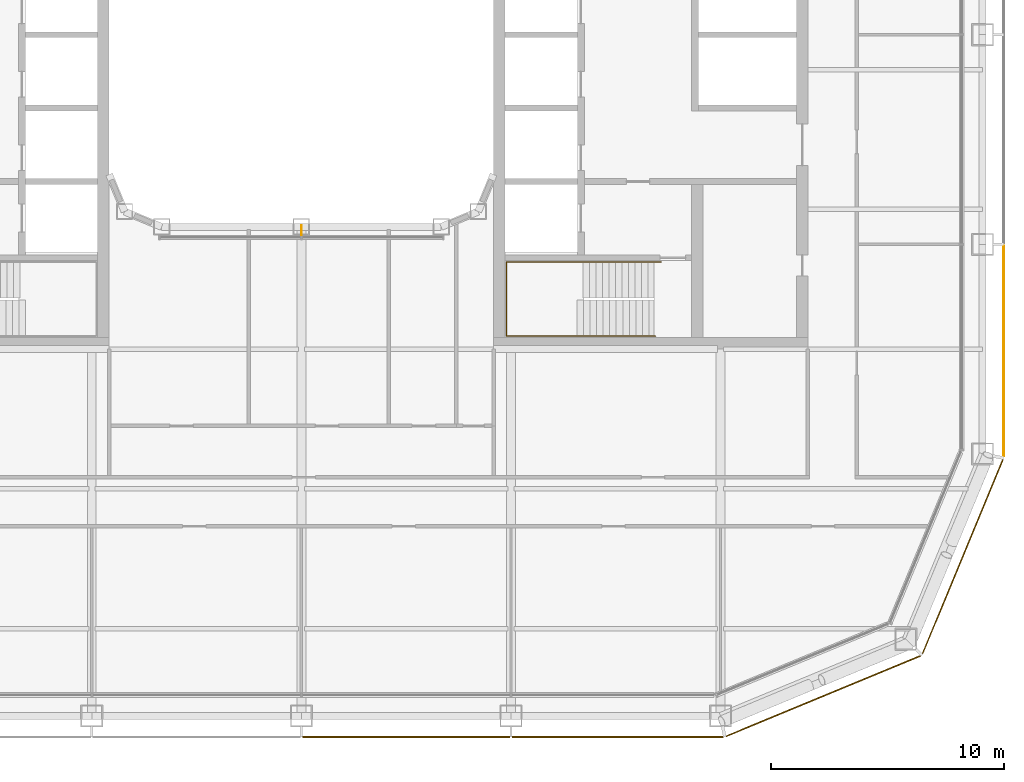
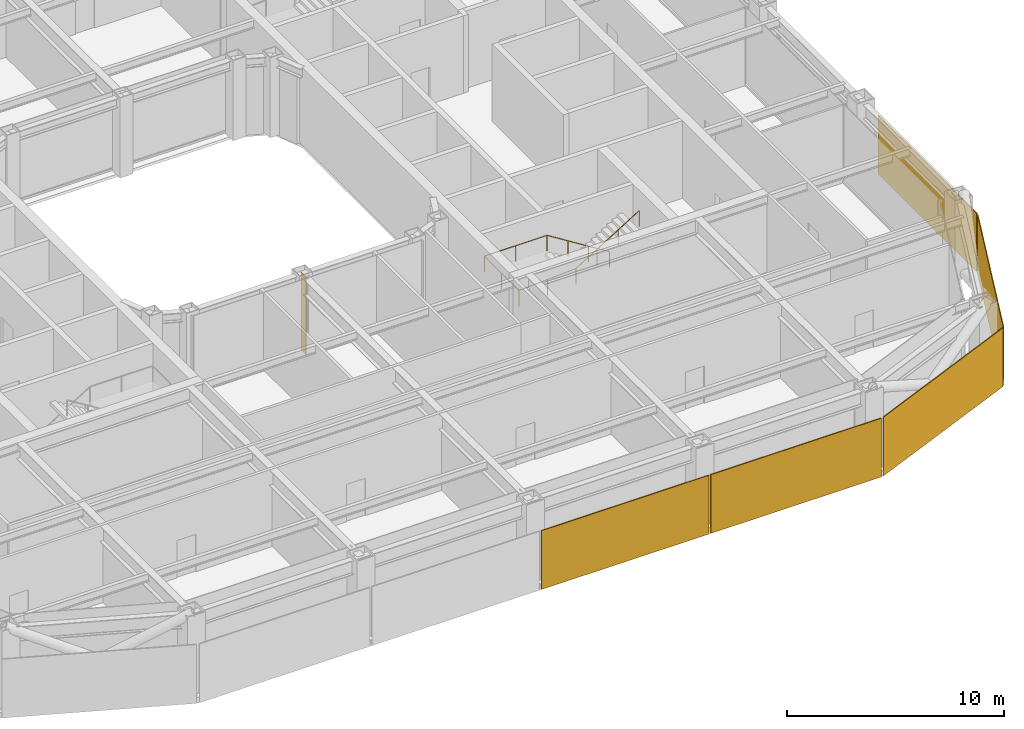
# One storey, part 19 of 23: 5 coverings, 1 railing, 1 shading device.
"""IFC4 building model written with IfcOpenShell, lengths in metres."""

from ifc_helpers import new_model, si_unit, direction, frame, origin, origin_2d, place, context, subcontext, project, spatial, rectangle, circle, extrude, material, layer, layer_set, type_object, element, save


model = new_model("IFC4")

# Units and contexts
model_context = context("Model", 3, precision=1e-05, world=origin(), true_north=direction((0.0, 1.0)))
body_context = subcontext(model_context, "Body", "Model", "MODEL_VIEW")
ifc_project = project(units=[si_unit("LENGTHUNIT", "METRE"), si_unit("AREAUNIT", "SQUARE_METRE"), si_unit("VOLUMEUNIT", "CUBIC_METRE"), si_unit("PLANEANGLEUNIT", "RADIAN"), si_unit("MASSUNIT", "GRAM", prefix="KILO")], contexts=[model_context])

# Site, building, storey
site_placement = place(None, origin())
site = spatial("IfcSite", under=ifc_project, at=site_placement, CompositionType="ELEMENT")
building_placement = place(site_placement, origin())
building = spatial("IfcBuilding", under=site, at=building_placement, Name="Siwar Civic Tower", CompositionType="ELEMENT")
storey_placement = place(building_placement, frame((0.0, 0.0, 136.199951171875)))
storey = spatial("IfcBuildingStorey", under=building, at=storey_placement, Name="L29", CompositionType="ELEMENT", Elevation=136.199951171875)

# Railing
ifc_material_1 = material(Name="Stainless steel", Category="steel")
railing_type = type_object("IfcRailingType", Name="CORE-STAIR-HANDRAIL", PredefinedType="HANDRAIL", material=ifc_material_1)
railing_placement = place(storey_placement, frame((15.449951171875, -9.758056640625, 0.173095703125)))
element("IfcRailing", 1, at=railing_placement, inside=storey, type_object=railing_type, Name="Stair handrail ST4", PredefinedType="HANDRAIL", context=body_context, shape_type="SweptSolid", body=[
    extrude(circle(Radius=0.02001953125, at=origin_2d()), frame((0.0, 0.0, 0.8798828125), z_axis=(-0.847063342986, 0.0, 0.531491950051), x_axis=(0.0, -1.0, 0.0)), (0.0, 0.0, 1.0), 3.90771484375),
    extrude(circle(Radius=0.02001953125, at=origin_2d()), frame((-3.31005859375, 0.0, 2.956787109375), z_axis=(-1.0, 0.0, 0.0), x_axis=(0.0, -1.0, 0.0)), (0.0, 0.0, 1.0), 3.331787109375),
    extrude(circle(Radius=0.02001953125, at=origin_2d()), frame((-6.641845703125, 0.0, 2.956787109375), z_axis=(0.0, -1.0, 0.0), x_axis=(1.0, 0.0, 0.0)), (0.0, 0.0, 1.0), 3.183837890625),
    extrude(circle(Radius=0.02001953125, at=origin_2d()), frame((-6.641845703125, -3.183837890625, 2.956787109375), z_axis=(0.99837434197, 0.0, 0.056997134106), x_axis=(0.0, 1.0, 0.0)), (0.0, 0.0, 1.0), 3.036865234375),
    extrude(circle(Radius=0.02001953125, at=origin_2d()), frame((-3.60986328125, -3.183837890625, 3.1298828125), z_axis=(0.850606129759, 0.0, 0.525803396734), x_axis=(0.0, 1.0, 0.0)), (0.0, 0.0, 1.0), 3.949951171875),
    extrude(circle(Radius=0.02001953125, at=origin_2d()), origin(), (0.0, 0.0, 1.0), 0.85986328125),
    extrude(circle(Radius=0.02001953125, at=origin_2d()), frame((-1.103271484375, 0.0, 0.6923828125)), (0.0, 0.0, 1.0), 0.85986328125),
    extrude(circle(Radius=0.02001953125, at=origin_2d()), frame((-2.206787109375, 0.0, 1.384521484375)), (0.0, 0.0, 1.0), 0.85986328125),
    extrude(circle(Radius=0.02001953125, at=origin_2d()), frame((-3.31005859375, 0.0, 2.076904296875)), (0.0, 0.0, 1.0), 0.85986328125),
    extrude(circle(Radius=0.02001953125, at=origin_2d()), frame((-4.97607421875, 0.0, 2.076904296875)), (0.0, 0.0, 1.0), 0.85986328125),
    extrude(circle(Radius=0.02001953125, at=origin_2d()), frame((-6.641845703125, 0.0, 2.076904296875)), (0.0, 0.0, 1.0), 0.85986328125),
    extrude(circle(Radius=0.02001953125, at=origin_2d()), frame((-6.641845703125, -1.591796875, 2.076904296875)), (0.0, 0.0, 1.0), 0.85986328125),
    extrude(circle(Radius=0.02001953125, at=origin_2d()), frame((-6.641845703125, -3.183837890625, 2.076904296875)), (0.0, 0.0, 1.0), 0.85986328125),
    extrude(circle(Radius=0.02001953125, at=origin_2d()), frame((-5.1259765625, -3.183837890625, 2.16357421875)), (0.0, 0.0, 1.0), 0.85986328125),
    extrude(circle(Radius=0.02001953125, at=origin_2d()), frame((-3.60986328125, -3.183837890625, 2.25)), (0.0, 0.0, 1.0), 0.85986328125),
    extrude(circle(Radius=0.02001953125, at=origin_2d()), frame((-2.489990234375, -3.183837890625, 2.9423828125)), (0.0, 0.0, 1.0), 0.85986328125),
    extrude(circle(Radius=0.02001953125, at=origin_2d()), frame((-1.369873046875, -3.183837890625, 3.634521484375)), (0.0, 0.0, 1.0), 0.85986328125),
    extrude(circle(Radius=0.02001953125, at=origin_2d()), frame((-0.25, -3.183837890625, 4.326904296875)), (0.0, 0.0, 1.0), 0.85986328125),
])

# Shading device
ifc_material_2 = material(Name="Aluminium 6063-T6", Category="aluminium")
ifc_layer_1 = layer(ifc_material_2, 0.02001953125)
ifc_layer_set_1 = layer_set([ifc_layer_1], Name="Aluminium 6063-T6")
shading_device_type = type_object("IfcShadingDeviceType", Name="ENV-FIN", PredefinedType="JALOUSIE", material=ifc_layer_set_1)
shading_device_placement = place(storey_placement, frame((0.0, -8.39501953125, 0.0), z_axis=(0.0, 0.0, 1.0), x_axis=(1.0, 0.0, 0.0)))
element("IfcShadingDevice", 2, at=shading_device_placement, inside=storey, type_object=shading_device_type, Name="SUNSHADE fin WS 1", PredefinedType="JALOUSIE", context=body_context, shape_type="SweptSolid", body=[
    extrude(rectangle(XDim=0.02001953125, YDim=0.449951171875, at=origin_2d()), origin(), (0.0, 0.0, 1.0), 4.35009765625),
])

# Coverings
ifc_material_3 = material(Name="Perforated aluminium cassette, pale metal", Category="aluminium")
ifc_layer_2 = layer(ifc_material_3, 0.0400390625)
ifc_layer_set_2 = layer_set([ifc_layer_2], Name="Perforated aluminium cassette, pale metal")
covering_type_1 = type_object("IfcCoveringType", Name="ENV-OUTER SKIN OS-1", PredefinedType="CLADDING", material=ifc_layer_set_2)
covering_1_placement = place(storey_placement, frame((30.14990234375, -13.57958984375, -0.14990234375), z_axis=(0.0, 0.0, 1.0), x_axis=(0.0, 1.0, 0.0)))
element("IfcCovering", 3, at=covering_1_placement, inside=storey, type_object=covering_type_1, Name="OUTER SKIN OS-1 E 1", PredefinedType="CLADDING", context=body_context, shape_type="SweptSolid", body=[
    extrude(rectangle(XDim=9.05908203125, YDim=0.0400390625, at=origin_2d()), origin(), (0.0, 0.0, 1.0), 3.300048828125),
])
ifc_material_4 = material(Name="Perforated aluminium cassette, pale metal", Category="aluminium")
ifc_layer_3 = layer(ifc_material_4, 0.044921875)
ifc_layer_set_3 = layer_set([ifc_layer_3], Name="Perforated aluminium cassette, pale metal")
covering_type_2 = type_object("IfcCoveringType", Name="ENV-OUTER SKIN OS-2", PredefinedType="CLADDING", material=ifc_layer_set_3)
covering_2_placement = place(storey_placement, frame((28.39697265625, -22.411376953125, -0.14990234375), z_axis=(0.0, 0.0, 1.0), x_axis=(0.382683432365, 0.923879532511, 0.0)))
element("IfcCovering", 4, at=covering_2_placement, inside=storey, type_object=covering_type_2, Name="OUTER SKIN OS-2 SE2 1", PredefinedType="CLADDING", context=body_context, shape_type="SweptSolid", body=[
    extrude(rectangle(XDim=9.022216796875, YDim=0.044921875, at=origin_2d()), origin(), (0.0, 0.0, 1.0), 3.300048828125),
])
ifc_material_5 = material(Name="Perforated aluminium cassette, pale metal", Category="aluminium")
ifc_layer_4 = layer(ifc_material_5, 0.050048828125)
ifc_layer_set_4 = layer_set([ifc_layer_4], Name="Perforated aluminium cassette, pale metal")
covering_type_3 = type_object("IfcCoveringType", Name="ENV-OUTER SKIN OS-3", PredefinedType="CLADDING", material=ifc_layer_set_4)
covering_3_placement = place(storey_placement, frame((22.411376953125, -28.39697265625, -0.14990234375), z_axis=(0.0, 0.0, 1.0), x_axis=(0.923879532511, 0.382683432365, 0.0)))
element("IfcCovering", 5, at=covering_3_placement, inside=storey, type_object=covering_type_3, Name="OUTER SKIN OS-3 SE1 1", PredefinedType="CLADDING", context=body_context, shape_type="SweptSolid", body=[
    extrude(rectangle(XDim=9.022216796875, YDim=0.050048828125, at=origin_2d()), origin(), (0.0, 0.0, 1.0), 3.300048828125),
])
ifc_material_6 = material(Name="Perforated aluminium cassette, pale metal", Category="aluminium")
ifc_layer_5 = layer(ifc_material_6, 0.054931640625)
ifc_layer_set_5 = layer_set([ifc_layer_5], Name="Perforated aluminium cassette, pale metal")
covering_type_4 = type_object("IfcCoveringType", Name="ENV-OUTER SKIN OS-4", PredefinedType="CLADDING", material=ifc_layer_set_5)
covering_4_placement = place(storey_placement, frame((4.5, -30.14990234375, -0.14990234375), z_axis=(0.0, 0.0, 1.0), x_axis=(1.0, 0.0, 0.0)))
element("IfcCovering", 6, at=covering_4_placement, inside=storey, type_object=covering_type_4, Name="OUTER SKIN OS-4 S 3", PredefinedType="CLADDING", context=body_context, shape_type="SweptSolid", body=[
    extrude(rectangle(XDim=8.89990234375, YDim=0.054931640625, at=origin_2d()), origin(), (0.0, 0.0, 1.0), 3.300048828125),
])
covering_5_placement = place(storey_placement, frame((13.57958984375, -30.14990234375, -0.14990234375), z_axis=(0.0, 0.0, 1.0), x_axis=(1.0, 0.0, 0.0)))
element("IfcCovering", 7, at=covering_5_placement, inside=storey, type_object=covering_type_4, Name="OUTER SKIN OS-4 S 4", PredefinedType="CLADDING", context=body_context, shape_type="SweptSolid", body=[
    extrude(rectangle(XDim=9.05908203125, YDim=0.054931640625, at=origin_2d()), origin(), (0.0, 0.0, 1.0), 3.300048828125),
])

save(model, "model.ifc")
